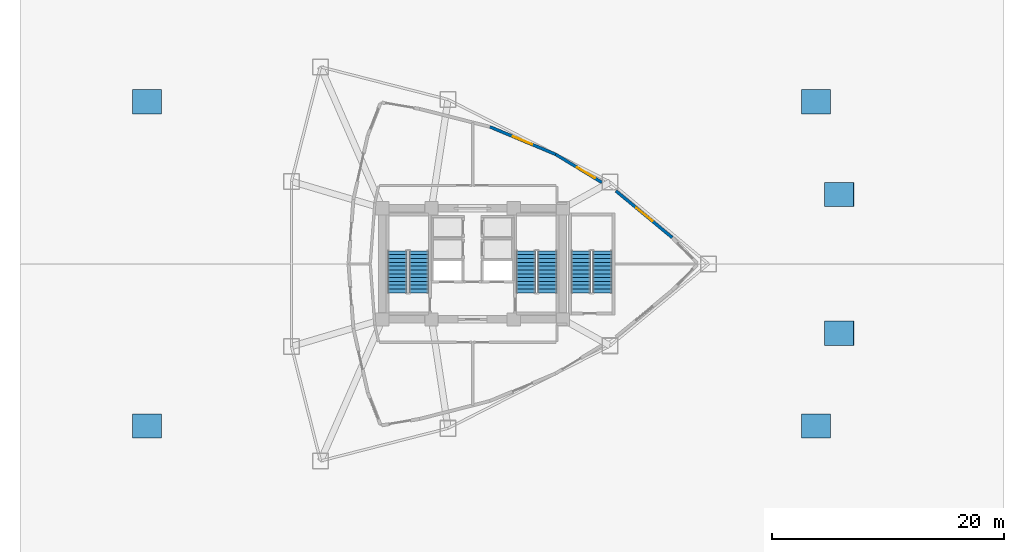
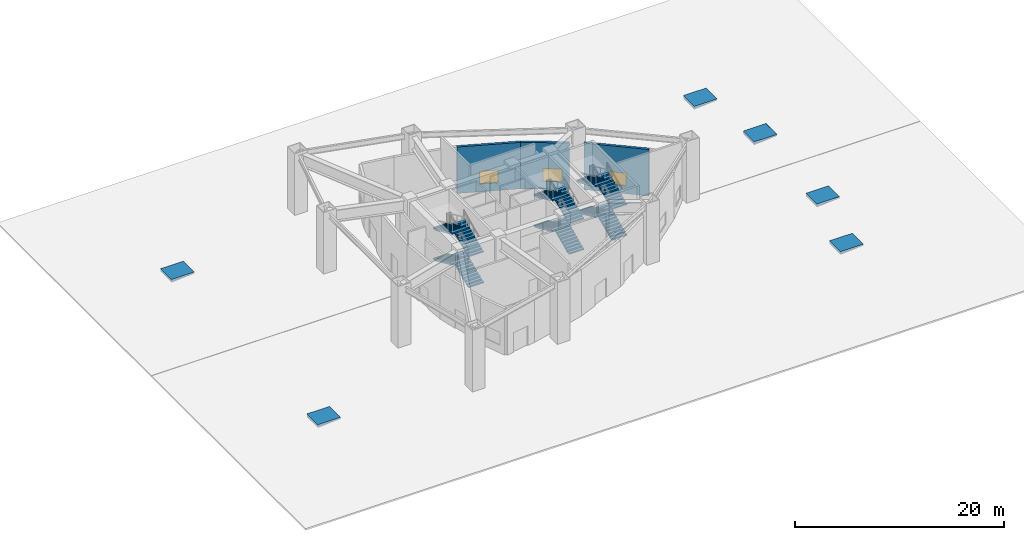
# One storey, part 4 of 7: 12 stair flights, 6 ramps, 6 ramp flights, 3 walls, 3 windows, 3 openings, 3 elements without a shape of their own.
"""IFC4 building model written with IfcOpenShell, lengths in metres."""

from ifc_helpers import new_model, si_unit, direction, frame, frame_2d, origin, origin_2d, place, context, subcontext, project, spatial, polyline, rectangle, outline, extrude, material, layer, layer_set, type_object, element, fill, aggregate, save


model = new_model("IFC4")

# Units and contexts
model_context = context("Model", 3, precision=1e-05, world=origin(), true_north=direction((0.0, 1.0)))
body_context = subcontext(model_context, "Body", "Model", "MODEL_VIEW")
ifc_project = project(units=[si_unit("LENGTHUNIT", "METRE"), si_unit("AREAUNIT", "SQUARE_METRE"), si_unit("VOLUMEUNIT", "CUBIC_METRE"), si_unit("PLANEANGLEUNIT", "RADIAN"), si_unit("MASSUNIT", "GRAM", prefix="KILO")], contexts=[model_context])

# Site, building, storey
site_placement = place(None, origin())
site = spatial("IfcSite", under=ifc_project, at=site_placement, CompositionType="ELEMENT")
building_placement = place(site_placement, origin())
building = spatial("IfcBuilding", under=site, at=building_placement, Name="Menara Vayukalpa", CompositionType="ELEMENT")
storey_placement = place(building_placement, origin())
storey = spatial("IfcBuildingStorey", under=building, at=storey_placement, Name="L00", CompositionType="ELEMENT", Elevation=0.0)

# Wall, opening, window
ifc_material_1 = material(Name="Insulated Precast Concrete C40/50", Category="concrete")
ifc_layer_1 = layer(ifc_material_1, 0.260009765625)
ifc_layer_set_1 = layer_set([ifc_layer_1], Name="Insulated Precast Concrete C40/50")
wall_type = type_object("IfcWallType", Name="WAL-EXT260", PredefinedType="PARTITIONING", material=ifc_layer_set_1)
wall_1_placement = place(storey_placement, frame((27.09228515625, 33.84033203125, 0.0), z_axis=(0.0, 0.0, 1.0), x_axis=(0.922544641811, -0.385890378042, 0.0)))
wall_1 = element("IfcWall", 1, at=wall_1_placement, inside=storey, type_object=wall_type, Name="L00 Concourse Storefront Wall 13", PredefinedType="PARTITIONING", context=body_context, shape_type="SweptSolid", body=[
    extrude(rectangle(XDim=6.143798828125, YDim=0.260009765625, at=frame_2d((3.07177734375, 0.0))), origin(), (0.0, 0.0, 1.0), 5.429931640625),
])
opening_1_placement = place(wall_1_placement, frame((2.171875, 0.0, 0.89990234375)))
opening_1 = element("IfcOpeningElement", 2, at=opening_1_placement, cuts=wall_1, Name="Opening WN1", PredefinedType="OPENING", context=body_context, shape_type="SweptSolid", body=[
    extrude(rectangle(XDim=1.800048828125, YDim=1.5, at=frame_2d((0.89990234375, 0.75))), frame((0.0, 0.139892578125, 0.0), z_axis=(0.0, -1.0, 0.0), x_axis=(1.0, 0.0, 0.0)), (0.0, 0.0, 1.0), 0.280029296875),
])
ifc_material_2 = material(Name="Thermally Broken Aluminium and Low-E Glass", Category="aluminium")
window_type = type_object("IfcWindowType", Name="WIN-W180", PartitioningType="SINGLE_PANEL", PredefinedType="WINDOW", material=ifc_material_2)
window_1_placement = place(opening_1_placement, origin())
window_1 = element("IfcWindow", 3, at=window_1_placement, inside=storey, type_object=window_type, Name="L00 Concourse Vision Window WN-03", OverallHeight=1.5, OverallWidth=1.800048828125, PartitioningType="SINGLE_PANEL", PredefinedType="WINDOW", context=body_context, shape_type="SweptSolid", body=[
    extrude(rectangle(XDim=1.800048828125, YDim=1.5, at=frame_2d((0.89990234375, 0.75))), frame((0.0, 0.030029296875, 0.0), z_axis=(0.0, -1.0, 0.0), x_axis=(1.0, 0.0, 0.0)), (0.0, 0.0, 1.0), 0.06005859375),
])
fill(opening_1, window_1)

wall_2_placement = place(storey_placement, frame((32.76025390625, 31.469482421875, 0.0), z_axis=(0.0, 0.0, 1.0), x_axis=(0.854658781081, -0.519190107688, 0.0)))
wall_2 = element("IfcWall", 4, at=wall_2_placement, inside=storey, type_object=wall_type, Name="L00 Concourse Storefront Wall 14", PredefinedType="PARTITIONING", context=body_context, shape_type="SweptSolid", body=[
    extrude(rectangle(XDim=4.688232421875, YDim=0.260009765625, at=frame_2d((2.34423828125, 0.0))), origin(), (0.0, 0.0, 1.0), 5.429931640625),
])
opening_2_placement = place(wall_2_placement, frame((2.171875, 0.0, 0.89990234375)))
opening_2 = element("IfcOpeningElement", 5, at=opening_2_placement, cuts=wall_2, Name="Opening WN1", PredefinedType="OPENING", context=body_context, shape_type="SweptSolid", body=[
    extrude(rectangle(XDim=1.800048828125, YDim=1.5, at=frame_2d((0.89990234375, 0.75))), frame((0.0, 0.139892578125, 0.0), z_axis=(0.0, -1.0, 0.0), x_axis=(1.0, 0.0, 0.0)), (0.0, 0.0, 1.0), 0.280029296875),
])
window_2_placement = place(opening_2_placement, origin())
window_2 = element("IfcWindow", 6, at=window_2_placement, inside=storey, type_object=window_type, Name="L00 Concourse Vision Window WN-04", OverallHeight=1.5, OverallWidth=1.800048828125, PartitioningType="SINGLE_PANEL", PredefinedType="WINDOW", context=body_context, shape_type="SweptSolid", body=[
    extrude(rectangle(XDim=1.800048828125, YDim=1.5, at=frame_2d((0.89990234375, 0.75))), frame((0.0, 0.030029296875, 0.0), z_axis=(0.0, -1.0, 0.0), x_axis=(1.0, 0.0, 0.0)), (0.0, 0.0, 1.0), 0.06005859375),
])
fill(opening_2, window_2)

wall_3_placement = place(storey_placement, frame((37.981689453125, 28.30419921875, 0.0), z_axis=(0.0, 0.0, 1.0), x_axis=(0.769753796379, -0.638340890873, 0.0)))
wall_3 = element("IfcWall", 7, at=wall_3_placement, inside=storey, type_object=wall_type, Name="L00 Concourse Storefront Wall 15", PredefinedType="PARTITIONING", context=body_context, shape_type="SweptSolid", body=[
    extrude(rectangle(XDim=6.323974609375, YDim=0.260009765625, at=frame_2d((3.162109375, 0.0))), origin(), (0.0, 0.0, 1.0), 5.429931640625),
])
opening_3_placement = place(wall_3_placement, frame((2.27783203125, 0.0, 0.89990234375)))
opening_3 = element("IfcOpeningElement", 8, at=opening_3_placement, cuts=wall_3, Name="Opening WN1", PredefinedType="OPENING", context=body_context, shape_type="SweptSolid", body=[
    extrude(rectangle(XDim=1.800048828125, YDim=1.5, at=frame_2d((0.89990234375, 0.75))), frame((0.0, 0.139892578125, 0.0), z_axis=(0.0, -1.0, 0.0), x_axis=(1.0, 0.0, 0.0)), (0.0, 0.0, 1.0), 0.280029296875),
])
window_3_placement = place(opening_3_placement, origin())
window_3 = element("IfcWindow", 9, at=window_3_placement, inside=storey, type_object=window_type, Name="L00 Concourse Vision Window WN-05", OverallHeight=1.5, OverallWidth=1.800048828125, PartitioningType="SINGLE_PANEL", PredefinedType="WINDOW", context=body_context, shape_type="SweptSolid", body=[
    extrude(rectangle(XDim=1.800048828125, YDim=1.5, at=frame_2d((0.89990234375, 0.75))), frame((0.0, 0.030029296875, 0.0), z_axis=(0.0, -1.0, 0.0), x_axis=(1.0, 0.0, 0.0)), (0.0, 0.0, 1.0), 0.06005859375),
])
fill(opening_3, window_3)

# Stair, stair flights
ifc_material_3 = material(Name="Precast Concrete C40/50", Category="concrete")
stair_type = type_object("IfcStairType", Name="STR-T02", PredefinedType="DOUBLE_RETURN_STAIR", material=ifc_material_3)
stair_1_placement = place(storey_placement, origin())
stair_1 = element("IfcStair", 10, at=stair_1_placement, inside=storey, type_object=stair_type, Name="L00 Core Exit Stair ST-1", PredefinedType="DOUBLE_RETURN_STAIR")
ifc_material_4 = material(Name="Precast Concrete C40/50", Category="concrete")
stair_flight_type = type_object("IfcStairFlightType", Name="STF-T02", PredefinedType="STRAIGHT", material=ifc_material_4)
stair_flight_1_placement = place(storey_placement, frame((20.97509765625, 19.5, 0.0), z_axis=(0.0, 0.0, 1.0), x_axis=(0.0, 1.0, 0.0)))
stair_flight_1 = element("IfcStairFlight", 11, at=stair_flight_1_placement, type_object=stair_flight_type, Name="ST-1 flight 1", NumberOfRisers=12, NumberOfTreads=11, PredefinedType="STRAIGHT", RiserHeight=0.15, TreadLength=0.33, context=body_context, shape_type="SweptSolid", body=[
    extrude(outline(polyline([(0.0, 0.0), (0.0, 0.14990234375), (0.330078125, 0.14990234375), (0.330078125, 0.300048828125), (0.659912109375, 0.300048828125), (0.659912109375, 0.449951171875), (0.989990234375, 0.449951171875), (0.989990234375, 0.60009765625), (1.320068359375, 0.60009765625), (1.320068359375, 0.75), (1.64990234375, 0.75), (1.64990234375, 0.89990234375), (1.97998046875, 0.89990234375), (1.97998046875, 1.050048828125), (2.31005859375, 1.050048828125), (2.31005859375, 1.199951171875), (2.639892578125, 1.199951171875), (2.639892578125, 1.35009765625), (2.969970703125, 1.35009765625), (2.969970703125, 1.5), (3.300048828125, 1.5), (3.300048828125, 1.64990234375), (3.6298828125, 1.64990234375), (3.6298828125, 1.800048828125), (3.6298828125, 1.4853515625), (0.3623046875, 0.0), (0.0, 0.0)])), frame((0.0, 0.824951171875, 0.0), z_axis=(0.0, -1.0, 0.0), x_axis=(1.0, 0.0, 0.0)), (0.0, 0.0, 1.0), 1.64990234375),
])
stair_flight_2_placement = place(storey_placement, frame((19.125, 23.1298828125, 1.800048828125), z_axis=(0.0, 0.0, 1.0), x_axis=(0.0, -1.0, 0.0)))
stair_flight_2 = element("IfcStairFlight", 12, at=stair_flight_2_placement, type_object=stair_flight_type, Name="ST-1 flight 2", NumberOfRisers=12, NumberOfTreads=11, PredefinedType="STRAIGHT", RiserHeight=0.15, TreadLength=0.33, context=body_context, shape_type="SweptSolid", body=[
    extrude(outline(polyline([(0.0, 0.0), (0.0, 0.14990234375), (0.330078125, 0.14990234375), (0.330078125, 0.300048828125), (0.659912109375, 0.300048828125), (0.659912109375, 0.449951171875), (0.989990234375, 0.449951171875), (0.989990234375, 0.60009765625), (1.320068359375, 0.60009765625), (1.320068359375, 0.75), (1.64990234375, 0.75), (1.64990234375, 0.89990234375), (1.97998046875, 0.89990234375), (1.97998046875, 1.050048828125), (2.31005859375, 1.050048828125), (2.31005859375, 1.199951171875), (2.639892578125, 1.199951171875), (2.639892578125, 1.35009765625), (2.969970703125, 1.35009765625), (2.969970703125, 1.5), (3.300048828125, 1.5), (3.300048828125, 1.64990234375), (3.6298828125, 1.64990234375), (3.6298828125, 1.800048828125), (3.6298828125, 1.4853515625), (0.3623046875, 0.0), (0.0, 0.0)])), frame((0.0, 0.824951171875, 0.0), z_axis=(0.0, -1.0, 0.0), x_axis=(1.0, 0.0, 0.0)), (0.0, 0.0, 1.0), 1.64990234375),
])
stair_flight_3_placement = place(storey_placement, frame((20.97509765625, 19.5, 3.60009765625), z_axis=(0.0, 0.0, 1.0), x_axis=(0.0, 1.0, 0.0)))
stair_flight_3 = element("IfcStairFlight", 13, at=stair_flight_3_placement, type_object=stair_flight_type, Name="ST-1 flight 3", NumberOfRisers=12, NumberOfTreads=11, PredefinedType="STRAIGHT", RiserHeight=0.15, TreadLength=0.33, context=body_context, shape_type="SweptSolid", body=[
    extrude(outline(polyline([(0.0, 0.0), (0.0, 0.14990234375), (0.330078125, 0.14990234375), (0.330078125, 0.300048828125), (0.659912109375, 0.300048828125), (0.659912109375, 0.449951171875), (0.989990234375, 0.449951171875), (0.989990234375, 0.60009765625), (1.320068359375, 0.60009765625), (1.320068359375, 0.75), (1.64990234375, 0.75), (1.64990234375, 0.89990234375), (1.97998046875, 0.89990234375), (1.97998046875, 1.050048828125), (2.31005859375, 1.050048828125), (2.31005859375, 1.199951171875), (2.639892578125, 1.199951171875), (2.639892578125, 1.35009765625), (2.969970703125, 1.35009765625), (2.969970703125, 1.5), (3.300048828125, 1.5), (3.300048828125, 1.64990234375), (3.6298828125, 1.64990234375), (3.6298828125, 1.800048828125), (3.6298828125, 1.4853515625), (0.3623046875, 0.0), (0.0, 0.0)])), frame((0.0, 0.824951171875, 0.0), z_axis=(0.0, -1.0, 0.0), x_axis=(1.0, 0.0, 0.0)), (0.0, 0.0, 1.0), 1.64990234375),
])
stair_flight_4_placement = place(storey_placement, frame((19.125, 23.1298828125, 5.39990234375), z_axis=(0.0, 0.0, 1.0), x_axis=(0.0, -1.0, 0.0)))
stair_flight_4 = element("IfcStairFlight", 14, at=stair_flight_4_placement, type_object=stair_flight_type, Name="ST-1 flight 4", NumberOfRisers=12, NumberOfTreads=11, PredefinedType="STRAIGHT", RiserHeight=0.15, TreadLength=0.33, context=body_context, shape_type="SweptSolid", body=[
    extrude(outline(polyline([(0.0, 0.0), (0.0, 0.14990234375), (0.330078125, 0.14990234375), (0.330078125, 0.300048828125), (0.659912109375, 0.300048828125), (0.659912109375, 0.449951171875), (0.989990234375, 0.449951171875), (0.989990234375, 0.60009765625), (1.320068359375, 0.60009765625), (1.320068359375, 0.75), (1.64990234375, 0.75), (1.64990234375, 0.89990234375), (1.97998046875, 0.89990234375), (1.97998046875, 1.050048828125), (2.31005859375, 1.050048828125), (2.31005859375, 1.199951171875), (2.639892578125, 1.199951171875), (2.639892578125, 1.35009765625), (2.969970703125, 1.35009765625), (2.969970703125, 1.5), (3.300048828125, 1.5), (3.300048828125, 1.64990234375), (3.6298828125, 1.64990234375), (3.6298828125, 1.800048828125), (3.6298828125, 1.4853515625), (0.3623046875, 0.0), (0.0, 0.0)])), frame((0.0, 0.824951171875, 0.0), z_axis=(0.0, -1.0, 0.0), x_axis=(1.0, 0.0, 0.0)), (0.0, 0.0, 1.0), 1.64990234375),
])
aggregate(stair_1, [stair_flight_1, stair_flight_2, stair_flight_3, stair_flight_4])

stair_2_placement = place(storey_placement, origin())
stair_2 = element("IfcStair", 15, at=stair_2_placement, inside=storey, type_object=stair_type, Name="L00 Core Exit Stair ST-2", PredefinedType="DOUBLE_RETURN_STAIR")
stair_flight_5_placement = place(storey_placement, frame((32.074951171875, 19.5, 0.0), z_axis=(0.0, 0.0, 1.0), x_axis=(0.0, 1.0, 0.0)))
stair_flight_5 = element("IfcStairFlight", 16, at=stair_flight_5_placement, type_object=stair_flight_type, Name="ST-2 flight 1", NumberOfRisers=12, NumberOfTreads=11, PredefinedType="STRAIGHT", RiserHeight=0.15, TreadLength=0.33, context=body_context, shape_type="SweptSolid", body=[
    extrude(outline(polyline([(0.0, 0.0), (0.0, 0.14990234375), (0.330078125, 0.14990234375), (0.330078125, 0.300048828125), (0.659912109375, 0.300048828125), (0.659912109375, 0.449951171875), (0.989990234375, 0.449951171875), (0.989990234375, 0.60009765625), (1.320068359375, 0.60009765625), (1.320068359375, 0.75), (1.64990234375, 0.75), (1.64990234375, 0.89990234375), (1.97998046875, 0.89990234375), (1.97998046875, 1.050048828125), (2.31005859375, 1.050048828125), (2.31005859375, 1.199951171875), (2.639892578125, 1.199951171875), (2.639892578125, 1.35009765625), (2.969970703125, 1.35009765625), (2.969970703125, 1.5), (3.300048828125, 1.5), (3.300048828125, 1.64990234375), (3.6298828125, 1.64990234375), (3.6298828125, 1.800048828125), (3.6298828125, 1.4853515625), (0.3623046875, 0.0), (0.0, 0.0)])), frame((0.0, 0.824951171875, 0.0), z_axis=(0.0, -1.0, 0.0), x_axis=(1.0, 0.0, 0.0)), (0.0, 0.0, 1.0), 1.64990234375),
])
stair_flight_6_placement = place(storey_placement, frame((30.22509765625, 23.1298828125, 1.800048828125), z_axis=(0.0, 0.0, 1.0), x_axis=(0.0, -1.0, 0.0)))
stair_flight_6 = element("IfcStairFlight", 17, at=stair_flight_6_placement, type_object=stair_flight_type, Name="ST-2 flight 2", NumberOfRisers=12, NumberOfTreads=11, PredefinedType="STRAIGHT", RiserHeight=0.15, TreadLength=0.33, context=body_context, shape_type="SweptSolid", body=[
    extrude(outline(polyline([(0.0, 0.0), (0.0, 0.14990234375), (0.330078125, 0.14990234375), (0.330078125, 0.300048828125), (0.659912109375, 0.300048828125), (0.659912109375, 0.449951171875), (0.989990234375, 0.449951171875), (0.989990234375, 0.60009765625), (1.320068359375, 0.60009765625), (1.320068359375, 0.75), (1.64990234375, 0.75), (1.64990234375, 0.89990234375), (1.97998046875, 0.89990234375), (1.97998046875, 1.050048828125), (2.31005859375, 1.050048828125), (2.31005859375, 1.199951171875), (2.639892578125, 1.199951171875), (2.639892578125, 1.35009765625), (2.969970703125, 1.35009765625), (2.969970703125, 1.5), (3.300048828125, 1.5), (3.300048828125, 1.64990234375), (3.6298828125, 1.64990234375), (3.6298828125, 1.800048828125), (3.6298828125, 1.4853515625), (0.3623046875, 0.0), (0.0, 0.0)])), frame((0.0, 0.824951171875, 0.0), z_axis=(0.0, -1.0, 0.0), x_axis=(1.0, 0.0, 0.0)), (0.0, 0.0, 1.0), 1.64990234375),
])
stair_flight_7_placement = place(storey_placement, frame((32.074951171875, 19.5, 3.60009765625), z_axis=(0.0, 0.0, 1.0), x_axis=(0.0, 1.0, 0.0)))
stair_flight_7 = element("IfcStairFlight", 18, at=stair_flight_7_placement, type_object=stair_flight_type, Name="ST-2 flight 3", NumberOfRisers=12, NumberOfTreads=11, PredefinedType="STRAIGHT", RiserHeight=0.15, TreadLength=0.33, context=body_context, shape_type="SweptSolid", body=[
    extrude(outline(polyline([(0.0, 0.0), (0.0, 0.14990234375), (0.330078125, 0.14990234375), (0.330078125, 0.300048828125), (0.659912109375, 0.300048828125), (0.659912109375, 0.449951171875), (0.989990234375, 0.449951171875), (0.989990234375, 0.60009765625), (1.320068359375, 0.60009765625), (1.320068359375, 0.75), (1.64990234375, 0.75), (1.64990234375, 0.89990234375), (1.97998046875, 0.89990234375), (1.97998046875, 1.050048828125), (2.31005859375, 1.050048828125), (2.31005859375, 1.199951171875), (2.639892578125, 1.199951171875), (2.639892578125, 1.35009765625), (2.969970703125, 1.35009765625), (2.969970703125, 1.5), (3.300048828125, 1.5), (3.300048828125, 1.64990234375), (3.6298828125, 1.64990234375), (3.6298828125, 1.800048828125), (3.6298828125, 1.4853515625), (0.3623046875, 0.0), (0.0, 0.0)])), frame((0.0, 0.824951171875, 0.0), z_axis=(0.0, -1.0, 0.0), x_axis=(1.0, 0.0, 0.0)), (0.0, 0.0, 1.0), 1.64990234375),
])
stair_flight_8_placement = place(storey_placement, frame((30.22509765625, 23.1298828125, 5.39990234375), z_axis=(0.0, 0.0, 1.0), x_axis=(0.0, -1.0, 0.0)))
stair_flight_8 = element("IfcStairFlight", 19, at=stair_flight_8_placement, type_object=stair_flight_type, Name="ST-2 flight 4", NumberOfRisers=12, NumberOfTreads=11, PredefinedType="STRAIGHT", RiserHeight=0.15, TreadLength=0.33, context=body_context, shape_type="SweptSolid", body=[
    extrude(outline(polyline([(0.0, 0.0), (0.0, 0.14990234375), (0.330078125, 0.14990234375), (0.330078125, 0.300048828125), (0.659912109375, 0.300048828125), (0.659912109375, 0.449951171875), (0.989990234375, 0.449951171875), (0.989990234375, 0.60009765625), (1.320068359375, 0.60009765625), (1.320068359375, 0.75), (1.64990234375, 0.75), (1.64990234375, 0.89990234375), (1.97998046875, 0.89990234375), (1.97998046875, 1.050048828125), (2.31005859375, 1.050048828125), (2.31005859375, 1.199951171875), (2.639892578125, 1.199951171875), (2.639892578125, 1.35009765625), (2.969970703125, 1.35009765625), (2.969970703125, 1.5), (3.300048828125, 1.5), (3.300048828125, 1.64990234375), (3.6298828125, 1.64990234375), (3.6298828125, 1.800048828125), (3.6298828125, 1.4853515625), (0.3623046875, 0.0), (0.0, 0.0)])), frame((0.0, 0.824951171875, 0.0), z_axis=(0.0, -1.0, 0.0), x_axis=(1.0, 0.0, 0.0)), (0.0, 0.0, 1.0), 1.64990234375),
])
aggregate(stair_2, [stair_flight_5, stair_flight_6, stair_flight_7, stair_flight_8])

stair_3_placement = place(storey_placement, origin())
stair_3 = element("IfcStair", 20, at=stair_3_placement, inside=storey, type_object=stair_type, Name="L00 Podium Exit Stair ST-3", PredefinedType="DOUBLE_RETURN_STAIR")
stair_flight_9_placement = place(storey_placement, frame((36.824951171875, 19.5, 0.0), z_axis=(0.0, 0.0, 1.0), x_axis=(0.0, 1.0, 0.0)))
stair_flight_9 = element("IfcStairFlight", 21, at=stair_flight_9_placement, type_object=stair_flight_type, Name="ST-3 flight 1", NumberOfRisers=12, NumberOfTreads=11, PredefinedType="STRAIGHT", RiserHeight=0.15, TreadLength=0.33, context=body_context, shape_type="SweptSolid", body=[
    extrude(outline(polyline([(0.0, 0.0), (0.0, 0.14990234375), (0.330078125, 0.14990234375), (0.330078125, 0.300048828125), (0.659912109375, 0.300048828125), (0.659912109375, 0.449951171875), (0.989990234375, 0.449951171875), (0.989990234375, 0.60009765625), (1.320068359375, 0.60009765625), (1.320068359375, 0.75), (1.64990234375, 0.75), (1.64990234375, 0.89990234375), (1.97998046875, 0.89990234375), (1.97998046875, 1.050048828125), (2.31005859375, 1.050048828125), (2.31005859375, 1.199951171875), (2.639892578125, 1.199951171875), (2.639892578125, 1.35009765625), (2.969970703125, 1.35009765625), (2.969970703125, 1.5), (3.300048828125, 1.5), (3.300048828125, 1.64990234375), (3.6298828125, 1.64990234375), (3.6298828125, 1.800048828125), (3.6298828125, 1.4853515625), (0.3623046875, 0.0), (0.0, 0.0)])), frame((0.0, 0.824951171875, 0.0), z_axis=(0.0, -1.0, 0.0), x_axis=(1.0, 0.0, 0.0)), (0.0, 0.0, 1.0), 1.64990234375),
])
stair_flight_10_placement = place(storey_placement, frame((34.97509765625, 23.1298828125, 1.800048828125), z_axis=(0.0, 0.0, 1.0), x_axis=(0.0, -1.0, 0.0)))
stair_flight_10 = element("IfcStairFlight", 22, at=stair_flight_10_placement, type_object=stair_flight_type, Name="ST-3 flight 2", NumberOfRisers=12, NumberOfTreads=11, PredefinedType="STRAIGHT", RiserHeight=0.15, TreadLength=0.33, context=body_context, shape_type="SweptSolid", body=[
    extrude(outline(polyline([(0.0, 0.0), (0.0, 0.14990234375), (0.330078125, 0.14990234375), (0.330078125, 0.300048828125), (0.659912109375, 0.300048828125), (0.659912109375, 0.449951171875), (0.989990234375, 0.449951171875), (0.989990234375, 0.60009765625), (1.320068359375, 0.60009765625), (1.320068359375, 0.75), (1.64990234375, 0.75), (1.64990234375, 0.89990234375), (1.97998046875, 0.89990234375), (1.97998046875, 1.050048828125), (2.31005859375, 1.050048828125), (2.31005859375, 1.199951171875), (2.639892578125, 1.199951171875), (2.639892578125, 1.35009765625), (2.969970703125, 1.35009765625), (2.969970703125, 1.5), (3.300048828125, 1.5), (3.300048828125, 1.64990234375), (3.6298828125, 1.64990234375), (3.6298828125, 1.800048828125), (3.6298828125, 1.4853515625), (0.3623046875, 0.0), (0.0, 0.0)])), frame((0.0, 0.824951171875, 0.0), z_axis=(0.0, -1.0, 0.0), x_axis=(1.0, 0.0, 0.0)), (0.0, 0.0, 1.0), 1.64990234375),
])
stair_flight_11_placement = place(storey_placement, frame((36.824951171875, 19.5, 3.60009765625), z_axis=(0.0, 0.0, 1.0), x_axis=(0.0, 1.0, 0.0)))
stair_flight_11 = element("IfcStairFlight", 23, at=stair_flight_11_placement, type_object=stair_flight_type, Name="ST-3 flight 3", NumberOfRisers=12, NumberOfTreads=11, PredefinedType="STRAIGHT", RiserHeight=0.15, TreadLength=0.33, context=body_context, shape_type="SweptSolid", body=[
    extrude(outline(polyline([(0.0, 0.0), (0.0, 0.14990234375), (0.330078125, 0.14990234375), (0.330078125, 0.300048828125), (0.659912109375, 0.300048828125), (0.659912109375, 0.449951171875), (0.989990234375, 0.449951171875), (0.989990234375, 0.60009765625), (1.320068359375, 0.60009765625), (1.320068359375, 0.75), (1.64990234375, 0.75), (1.64990234375, 0.89990234375), (1.97998046875, 0.89990234375), (1.97998046875, 1.050048828125), (2.31005859375, 1.050048828125), (2.31005859375, 1.199951171875), (2.639892578125, 1.199951171875), (2.639892578125, 1.35009765625), (2.969970703125, 1.35009765625), (2.969970703125, 1.5), (3.300048828125, 1.5), (3.300048828125, 1.64990234375), (3.6298828125, 1.64990234375), (3.6298828125, 1.800048828125), (3.6298828125, 1.4853515625), (0.3623046875, 0.0), (0.0, 0.0)])), frame((0.0, 0.824951171875, 0.0), z_axis=(0.0, -1.0, 0.0), x_axis=(1.0, 0.0, 0.0)), (0.0, 0.0, 1.0), 1.64990234375),
])
stair_flight_12_placement = place(storey_placement, frame((34.97509765625, 23.1298828125, 5.39990234375), z_axis=(0.0, 0.0, 1.0), x_axis=(0.0, -1.0, 0.0)))
stair_flight_12 = element("IfcStairFlight", 24, at=stair_flight_12_placement, type_object=stair_flight_type, Name="ST-3 flight 4", NumberOfRisers=12, NumberOfTreads=11, PredefinedType="STRAIGHT", RiserHeight=0.15, TreadLength=0.33, context=body_context, shape_type="SweptSolid", body=[
    extrude(outline(polyline([(0.0, 0.0), (0.0, 0.14990234375), (0.330078125, 0.14990234375), (0.330078125, 0.300048828125), (0.659912109375, 0.300048828125), (0.659912109375, 0.449951171875), (0.989990234375, 0.449951171875), (0.989990234375, 0.60009765625), (1.320068359375, 0.60009765625), (1.320068359375, 0.75), (1.64990234375, 0.75), (1.64990234375, 0.89990234375), (1.97998046875, 0.89990234375), (1.97998046875, 1.050048828125), (2.31005859375, 1.050048828125), (2.31005859375, 1.199951171875), (2.639892578125, 1.199951171875), (2.639892578125, 1.35009765625), (2.969970703125, 1.35009765625), (2.969970703125, 1.5), (3.300048828125, 1.5), (3.300048828125, 1.64990234375), (3.6298828125, 1.64990234375), (3.6298828125, 1.800048828125), (3.6298828125, 1.4853515625), (0.3623046875, 0.0), (0.0, 0.0)])), frame((0.0, 0.824951171875, 0.0), z_axis=(0.0, -1.0, 0.0), x_axis=(1.0, 0.0, 0.0)), (0.0, 0.0, 1.0), 1.64990234375),
])
aggregate(stair_3, [stair_flight_9, stair_flight_10, stair_flight_11, stair_flight_12])

# Ramp flight
ifc_material_5 = material(Name="Concrete C40/50", Category="concrete")
ifc_layer_2 = layer(ifc_material_5, 0.179931640625)
ifc_layer_set_2 = layer_set([ifc_layer_2], Name="Concrete C40/50")
ramp_flight_type = type_object("IfcRampFlightType", Name="RMF-PLZ1", PredefinedType="STRAIGHT", material=ifc_layer_set_2)
ramp_flight_1_placement = place(storey_placement, frame((-3.800048828125, 6.949951171875, -0.179931640625), z_axis=(-0.071219580273, 0.0, 0.997460661573), x_axis=(0.997460661573, 0.0, 0.071219580273)))
ramp_flight_1 = element("IfcRampFlight", 25, at=ramp_flight_1_placement, type_object=ramp_flight_type, Name="Accessible Entry Ramp Flight RMF-01", PredefinedType="STRAIGHT", context=body_context, shape_type="SweptSolid", body=[
    extrude(outline(polyline([(0.0, 0.0), (2.526435004740766, 0.0), (2.526435004740766, 2.10009765625), (0.0, 2.10009765625), (0.0, 0.0)])), origin(), (0.0, 0.0, -1.0), 0.179931640625),
])

ramp_flight_2_placement = place(storey_placement, frame((-3.800048828125, 34.949951171875, -0.179931640625), z_axis=(-0.071219580273, 0.0, 0.997460661573), x_axis=(0.997460661573, 0.0, 0.071219580273)))
ramp_flight_2 = element("IfcRampFlight", 26, at=ramp_flight_2_placement, type_object=ramp_flight_type, Name="Accessible Entry Ramp Flight RMF-02", PredefinedType="STRAIGHT", context=body_context, shape_type="SweptSolid", body=[
    extrude(outline(polyline([(0.0, 0.0), (2.526435004740766, 0.0), (2.526435004740766, 2.10009765625), (0.0, 2.10009765625), (0.0, 0.0)])), origin(), (0.0, 0.0, -1.0), 0.179931640625),
])

ramp_flight_3_placement = place(storey_placement, frame((54.0, 6.949951171875, -0.179931640625), z_axis=(-0.071219580273, 0.0, 0.997460661573), x_axis=(0.997460661573, 0.0, 0.071219580273)))
ramp_flight_3 = element("IfcRampFlight", 27, at=ramp_flight_3_placement, type_object=ramp_flight_type, Name="Accessible Entry Ramp Flight RMF-03", PredefinedType="STRAIGHT", context=body_context, shape_type="SweptSolid", body=[
    extrude(outline(polyline([(0.0, 0.0), (2.526435004740766, 0.0), (2.526435004740766, 2.10009765625), (0.0, 2.10009765625), (0.0, 0.0)])), origin(), (0.0, 0.0, -1.0), 0.179931640625),
])

ramp_flight_4_placement = place(storey_placement, frame((54.0, 34.949951171875, -0.179931640625), z_axis=(-0.071219580273, 0.0, 0.997460661573), x_axis=(0.997460661573, 0.0, 0.071219580273)))
ramp_flight_4 = element("IfcRampFlight", 28, at=ramp_flight_4_placement, type_object=ramp_flight_type, Name="Accessible Entry Ramp Flight RMF-04", PredefinedType="STRAIGHT", context=body_context, shape_type="SweptSolid", body=[
    extrude(outline(polyline([(0.0, 0.0), (2.526435004740766, 0.0), (2.526435004740766, 2.10009765625), (0.0, 2.10009765625), (0.0, 0.0)])), origin(), (0.0, 0.0, -1.0), 0.179931640625),
])

ramp_flight_5_placement = place(storey_placement, frame((56.0, 14.949951171875, -0.179931640625), z_axis=(-0.071219580273, 0.0, 0.997460661573), x_axis=(0.997460661573, 0.0, 0.071219580273)))
ramp_flight_5 = element("IfcRampFlight", 29, at=ramp_flight_5_placement, type_object=ramp_flight_type, Name="Accessible Entry Ramp Flight RMF-05", PredefinedType="STRAIGHT", context=body_context, shape_type="SweptSolid", body=[
    extrude(outline(polyline([(0.0, 0.0), (2.526435004740766, 0.0), (2.526435004740766, 2.10009765625), (0.0, 2.10009765625), (0.0, 0.0)])), origin(), (0.0, 0.0, -1.0), 0.179931640625),
])

ramp_flight_6_placement = place(storey_placement, frame((56.0, 26.949951171875, -0.179931640625), z_axis=(-0.071219580273, 0.0, 0.997460661573), x_axis=(0.997460661573, 0.0, 0.071219580273)))
ramp_flight_6 = element("IfcRampFlight", 30, at=ramp_flight_6_placement, type_object=ramp_flight_type, Name="Accessible Entry Ramp Flight RMF-06", PredefinedType="STRAIGHT", context=body_context, shape_type="SweptSolid", body=[
    extrude(outline(polyline([(0.0, 0.0), (2.526435004740766, 0.0), (2.526435004740766, 2.10009765625), (0.0, 2.10009765625), (0.0, 0.0)])), origin(), (0.0, 0.0, -1.0), 0.179931640625),
])

# Ramp
ifc_material_6 = material(Name="Concrete C40/50", Category="concrete")
ramp_type = type_object("IfcRampType", Name="RMP-PLZ1", PredefinedType="STRAIGHT_RUN_RAMP", material=ifc_material_6)
ramp_1_placement = place(storey_placement, frame((-2.5400390625, 8.0, -0.18017578125), z_axis=(0.0, 0.0, 1.0), x_axis=(1.0, 0.0, 0.0)))
ramp_1 = element("IfcRamp", 31, at=ramp_1_placement, inside=storey, type_object=ramp_type, Name="Accessible Pedestrian Entry Ramp RM-01", PredefinedType="STRAIGHT_RUN_RAMP", context=body_context, shape_type="SweptSolid", body=[
    extrude(rectangle(XDim=2.52001953125, YDim=2.10009765625, at=origin_2d()), origin(), (0.0, 0.0, 1.0), 0.179931640625),
])

aggregate(ramp_1, [ramp_flight_1])

ramp_2_placement = place(storey_placement, frame((-2.5400390625, 36.0, -0.18017578125), z_axis=(0.0, 0.0, 1.0), x_axis=(1.0, 0.0, 0.0)))
ramp_2 = element("IfcRamp", 32, at=ramp_2_placement, inside=storey, type_object=ramp_type, Name="Accessible Pedestrian Entry Ramp RM-02", PredefinedType="STRAIGHT_RUN_RAMP", context=body_context, shape_type="SweptSolid", body=[
    extrude(rectangle(XDim=2.52001953125, YDim=2.10009765625, at=origin_2d()), origin(), (0.0, 0.0, 1.0), 0.179931640625),
])

aggregate(ramp_2, [ramp_flight_2])

ramp_3_placement = place(storey_placement, frame((55.260009765625, 8.0, -0.18017578125), z_axis=(0.0, 0.0, 1.0), x_axis=(1.0, 0.0, 0.0)))
ramp_3 = element("IfcRamp", 33, at=ramp_3_placement, inside=storey, type_object=ramp_type, Name="Accessible Pedestrian Entry Ramp RM-03", PredefinedType="STRAIGHT_RUN_RAMP", context=body_context, shape_type="SweptSolid", body=[
    extrude(rectangle(XDim=2.52001953125, YDim=2.10009765625, at=origin_2d()), origin(), (0.0, 0.0, 1.0), 0.179931640625),
])

aggregate(ramp_3, [ramp_flight_3])

ramp_4_placement = place(storey_placement, frame((55.260009765625, 36.0, -0.18017578125), z_axis=(0.0, 0.0, 1.0), x_axis=(1.0, 0.0, 0.0)))
ramp_4 = element("IfcRamp", 34, at=ramp_4_placement, inside=storey, type_object=ramp_type, Name="Accessible Pedestrian Entry Ramp RM-04", PredefinedType="STRAIGHT_RUN_RAMP", context=body_context, shape_type="SweptSolid", body=[
    extrude(rectangle(XDim=2.52001953125, YDim=2.10009765625, at=origin_2d()), origin(), (0.0, 0.0, 1.0), 0.179931640625),
])

aggregate(ramp_4, [ramp_flight_4])

ramp_5_placement = place(storey_placement, frame((57.260009765625, 16.0, -0.18017578125), z_axis=(0.0, 0.0, 1.0), x_axis=(1.0, 0.0, 0.0)))
ramp_5 = element("IfcRamp", 35, at=ramp_5_placement, inside=storey, type_object=ramp_type, Name="Accessible Pedestrian Entry Ramp RM-05", PredefinedType="STRAIGHT_RUN_RAMP", context=body_context, shape_type="SweptSolid", body=[
    extrude(rectangle(XDim=2.52001953125, YDim=2.10009765625, at=origin_2d()), origin(), (0.0, 0.0, 1.0), 0.179931640625),
])

aggregate(ramp_5, [ramp_flight_5])

ramp_6_placement = place(storey_placement, frame((57.260009765625, 28.0, -0.18017578125), z_axis=(0.0, 0.0, 1.0), x_axis=(1.0, 0.0, 0.0)))
ramp_6 = element("IfcRamp", 36, at=ramp_6_placement, inside=storey, type_object=ramp_type, Name="Accessible Pedestrian Entry Ramp RM-06", PredefinedType="STRAIGHT_RUN_RAMP", context=body_context, shape_type="SweptSolid", body=[
    extrude(rectangle(XDim=2.52001953125, YDim=2.10009765625, at=origin_2d()), origin(), (0.0, 0.0, 1.0), 0.179931640625),
])

aggregate(ramp_6, [ramp_flight_6])

save(model, "model.ifc")
